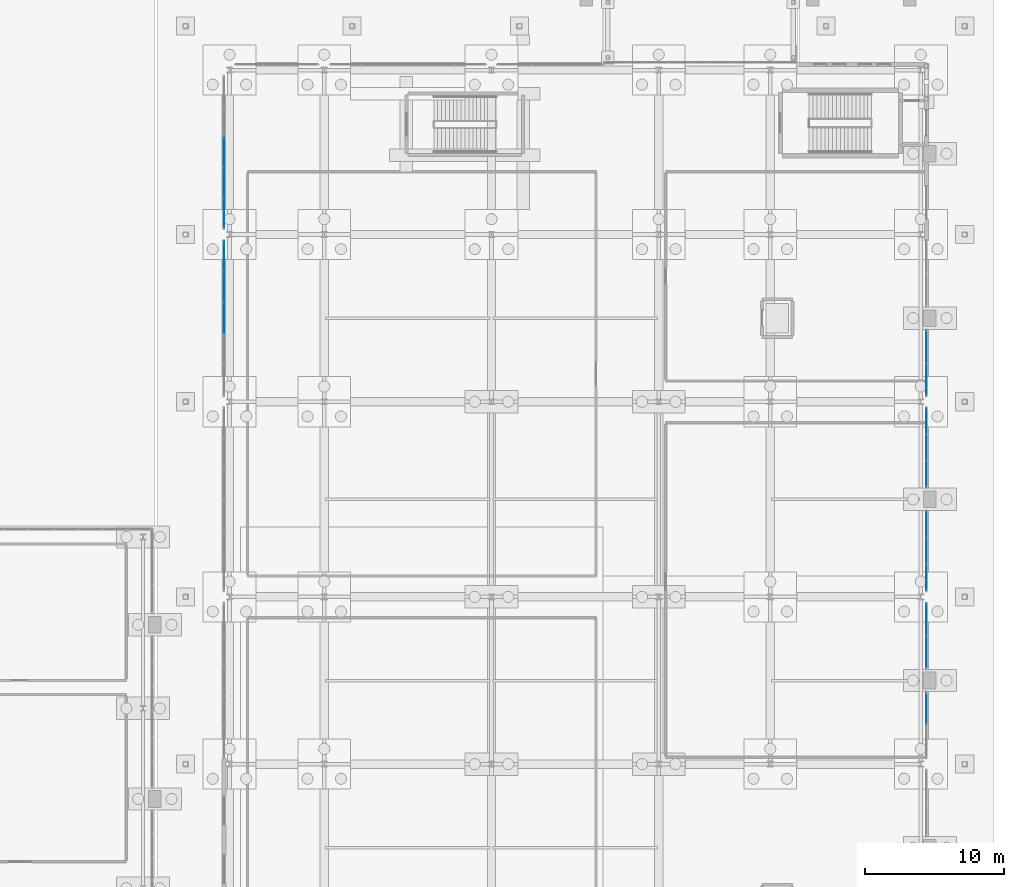
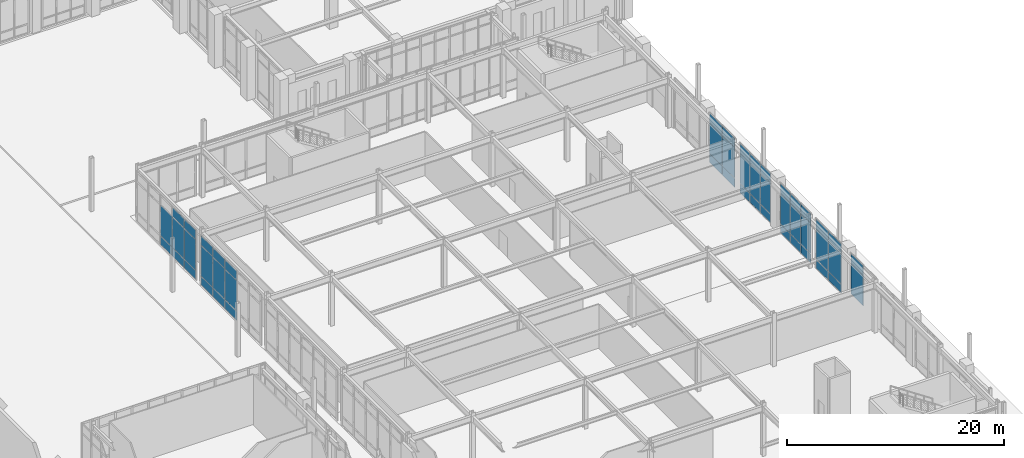
# One storey, part 92 of 143: 49 plates, 7 elements without a shape of their own.
"""IFC4 building model written with IfcOpenShell, lengths in metres."""

from ifc_helpers import new_model, si_unit, derived_unit, direction, frame, origin, origin_2d, place, context, subcontext, project, spatial, rectangle, extrude, material, layer, layer_set, type_object, element, aggregate, save


model = new_model("IFC4")

# Units and contexts
model_context = context("Model", 3, precision=1e-05, world=origin(), true_north=direction((0.0, 1.0)))
body_context = subcontext(model_context, "Body", "Model", "MODEL_VIEW")
ifc_project = project(units=[si_unit("LENGTHUNIT", "METRE"), si_unit("AREAUNIT", "SQUARE_METRE"), si_unit("VOLUMEUNIT", "CUBIC_METRE"), si_unit("PLANEANGLEUNIT", "RADIAN"), si_unit("MASSUNIT", "GRAM", prefix="KILO"), derived_unit("THERMALTRANSMITTANCEUNIT", [(si_unit("MASSUNIT", "GRAM", prefix="KILO"), 1), (si_unit("TIMEUNIT", "SECOND"), -3), (si_unit("THERMODYNAMICTEMPERATUREUNIT", "KELVIN"), -1)])], contexts=[model_context])

# Site, building, storey
site_placement = place(None, origin())
site = spatial("IfcSite", under=ifc_project, at=site_placement, CompositionType="ELEMENT")
building_placement = place(site_placement, origin())
building = spatial("IfcBuilding", under=site, at=building_placement, Name="Valcora Ridge Arena", CompositionType="ELEMENT")
storey_placement = place(building_placement, origin())
storey = spatial("IfcBuildingStorey", under=building, at=storey_placement, Name="L00", CompositionType="ELEMENT", Elevation=0.0)

# Curtain wall, plates
ifc_material_1 = material(Name="Anodised dark bronze architectural aluminium 6063-T6", Category="aluminium")
ifc_layer_1 = layer(ifc_material_1, 0.179931640625, Name="Anodised dark bronze architectural aluminium 6063-T6")
ifc_layer_set_1 = layer_set([ifc_layer_1], Name="Anodised dark bronze architectural aluminium 6063-T6")
curtain_wall_type_1 = type_object("IfcCurtainWallType", Name="TY-CURTAINWALL-CW-V2-GLAZ-057X56", PredefinedType="NOTDEFINED", material=ifc_layer_set_1)
curtain_wall_1_placement = place(storey_placement, origin())
curtain_wall_1 = element("IfcCurtainWall", 1, at=curtain_wall_1_placement, inside=storey, type_object=curtain_wall_type_1, Name="CW-V2-GLAZ-057X56 CW-0032", PredefinedType="NOTDEFINED")
ifc_material_2 = material(Name="Low-iron solar-control double glazing SHGC 0.28", Category="glass")
ifc_layer_2 = layer(ifc_material_2, 0.028076171875, Name="Low-iron solar-control double glazing SHGC 0.28")
ifc_layer_set_2 = layer_set([ifc_layer_2], Name="Low-iron solar-control double glazing SHGC 0.28")
plate_type_1 = type_object("IfcPlateType", Name="TY-PLT-CWP-1819X0975", PredefinedType="CURTAIN_PANEL", material=ifc_layer_set_2)
plate_1_placement = place(storey_placement, frame((187.199951171875, 41.402587890625, 0.050048828125), z_axis=(0.0, 0.0, 1.0), x_axis=(0.0, 1.0, 0.0)))
plate_1 = element("IfcPlate", 2, at=plate_1_placement, type_object=plate_type_1, Name="CW-0032/P00-00", PredefinedType="CURTAIN_PANEL", context=body_context, shape_type="SweptSolid", body=[
    extrude(rectangle(XDim=1.819091796875, YDim=0.028076171875, at=origin_2d()), origin(), (0.0, 0.0, 1.0), 0.97509765625),
])
plate_2_placement = place(storey_placement, frame((187.199951171875, 45.1904296875, 0.050048828125), z_axis=(0.0, 0.0, 1.0), x_axis=(0.0, 1.0, 0.0)))
plate_2 = element("IfcPlate", 3, at=plate_2_placement, type_object=plate_type_1, Name="CW-0032/P02-00", PredefinedType="CURTAIN_PANEL", context=body_context, shape_type="SweptSolid", body=[
    extrude(rectangle(XDim=1.819091796875, YDim=0.028076171875, at=origin_2d()), origin(), (0.0, 0.0, 1.0), 0.97509765625),
])

curtain_wall_2_placement = place(storey_placement, origin())
curtain_wall_2 = element("IfcCurtainWall", 4, at=curtain_wall_2_placement, inside=storey, type_object=curtain_wall_type_1, Name="CW-V2-GLAZ-057X56 CW-0033", PredefinedType="NOTDEFINED")
plate_3_placement = place(storey_placement, frame((187.199951171875, 48.8095703125, 0.050048828125), z_axis=(0.0, 0.0, 1.0), x_axis=(0.0, 1.0, 0.0)))
plate_3 = element("IfcPlate", 5, at=plate_3_placement, type_object=plate_type_1, Name="CW-0033/P00-00", PredefinedType="CURTAIN_PANEL", context=body_context, shape_type="SweptSolid", body=[
    extrude(rectangle(XDim=1.819091796875, YDim=0.028076171875, at=origin_2d()), origin(), (0.0, 0.0, 1.0), 0.97509765625),
])
plate_4_placement = place(storey_placement, frame((187.199951171875, 52.597412109375, 0.050048828125), z_axis=(0.0, 0.0, 1.0), x_axis=(0.0, 1.0, 0.0)))
plate_4 = element("IfcPlate", 6, at=plate_4_placement, type_object=plate_type_1, Name="CW-0033/P02-00", PredefinedType="CURTAIN_PANEL", context=body_context, shape_type="SweptSolid", body=[
    extrude(rectangle(XDim=1.819091796875, YDim=0.028076171875, at=origin_2d()), origin(), (0.0, 0.0, 1.0), 0.97509765625),
])

# Plate
ifc_layer_3 = layer(ifc_material_2, 0.028076171875, Name="Low-iron solar-control double glazing SHGC 0.28")
ifc_layer_set_3 = layer_set([ifc_layer_3], Name="Low-iron solar-control double glazing SHGC 0.28")
plate_type_2 = type_object("IfcPlateType", Name="TY-PLT-CWP-1819X1025", PredefinedType="CURTAIN_PANEL", material=ifc_layer_set_3)
plate_5_placement = place(storey_placement, frame((187.199951171875, 41.402587890625, 4.545166015625), z_axis=(0.0, 0.0, 1.0), x_axis=(0.0, 1.0, 0.0)))
plate_5 = element("IfcPlate", 7, at=plate_5_placement, type_object=plate_type_2, Name="CW-0032/P00-02", PredefinedType="CURTAIN_PANEL", context=body_context, shape_type="SweptSolid", body=[
    extrude(rectangle(XDim=1.819091796875, YDim=0.028076171875, at=origin_2d()), origin(), (0.0, 0.0, 1.0), 1.02490234375),
])

plate_6_placement = place(storey_placement, frame((187.199951171875, 45.1904296875, 4.545166015625), z_axis=(0.0, 0.0, 1.0), x_axis=(0.0, 1.0, 0.0)))
plate_6 = element("IfcPlate", 8, at=plate_6_placement, type_object=plate_type_2, Name="CW-0032/P02-02", PredefinedType="CURTAIN_PANEL", context=body_context, shape_type="SweptSolid", body=[
    extrude(rectangle(XDim=1.819091796875, YDim=0.028076171875, at=origin_2d()), origin(), (0.0, 0.0, 1.0), 1.02490234375),
])

plate_7_placement = place(storey_placement, frame((187.199951171875, 48.8095703125, 4.545166015625), z_axis=(0.0, 0.0, 1.0), x_axis=(0.0, 1.0, 0.0)))
plate_7 = element("IfcPlate", 9, at=plate_7_placement, type_object=plate_type_2, Name="CW-0033/P00-02", PredefinedType="CURTAIN_PANEL", context=body_context, shape_type="SweptSolid", body=[
    extrude(rectangle(XDim=1.819091796875, YDim=0.028076171875, at=origin_2d()), origin(), (0.0, 0.0, 1.0), 1.02490234375),
])

plate_8_placement = place(storey_placement, frame((187.199951171875, 52.597412109375, 4.545166015625), z_axis=(0.0, 0.0, 1.0), x_axis=(0.0, 1.0, 0.0)))
plate_8 = element("IfcPlate", 10, at=plate_8_placement, type_object=plate_type_2, Name="CW-0033/P02-02", PredefinedType="CURTAIN_PANEL", context=body_context, shape_type="SweptSolid", body=[
    extrude(rectangle(XDim=1.819091796875, YDim=0.028076171875, at=origin_2d()), origin(), (0.0, 0.0, 1.0), 1.02490234375),
])

ifc_layer_4 = layer(ifc_material_2, 0.028076171875, Name="Low-iron solar-control double glazing SHGC 0.28")
ifc_layer_set_4 = layer_set([ifc_layer_4], Name="Low-iron solar-control double glazing SHGC 0.28")
plate_type_3 = type_object("IfcPlateType", Name="TY-PLT-CWP-1819X3420", PredefinedType="CURTAIN_PANEL", material=ifc_layer_set_4)
plate_9_placement = place(storey_placement, frame((187.199951171875, 41.402587890625, 1.074951171875), z_axis=(0.0, 0.0, 1.0), x_axis=(0.0, 1.0, 0.0)))
plate_9 = element("IfcPlate", 11, at=plate_9_placement, type_object=plate_type_3, Name="CW-0032/P00-01", PredefinedType="CURTAIN_PANEL", context=body_context, shape_type="SweptSolid", body=[
    extrude(rectangle(XDim=1.819091796875, YDim=0.028076171875, at=origin_2d()), origin(), (0.0, 0.0, 1.0), 3.419921875),
])

plate_10_placement = place(storey_placement, frame((187.199951171875, 45.1904296875, 1.074951171875), z_axis=(0.0, 0.0, 1.0), x_axis=(0.0, 1.0, 0.0)))
plate_10 = element("IfcPlate", 12, at=plate_10_placement, type_object=plate_type_3, Name="CW-0032/P02-01", PredefinedType="CURTAIN_PANEL", context=body_context, shape_type="SweptSolid", body=[
    extrude(rectangle(XDim=1.819091796875, YDim=0.028076171875, at=origin_2d()), origin(), (0.0, 0.0, 1.0), 3.419921875),
])

plate_11_placement = place(storey_placement, frame((187.199951171875, 48.8095703125, 1.074951171875), z_axis=(0.0, 0.0, 1.0), x_axis=(0.0, 1.0, 0.0)))
plate_11 = element("IfcPlate", 13, at=plate_11_placement, type_object=plate_type_3, Name="CW-0033/P00-01", PredefinedType="CURTAIN_PANEL", context=body_context, shape_type="SweptSolid", body=[
    extrude(rectangle(XDim=1.819091796875, YDim=0.028076171875, at=origin_2d()), origin(), (0.0, 0.0, 1.0), 3.419921875),
])

plate_12_placement = place(storey_placement, frame((187.199951171875, 52.597412109375, 1.074951171875), z_axis=(0.0, 0.0, 1.0), x_axis=(0.0, 1.0, 0.0)))
plate_12 = element("IfcPlate", 14, at=plate_12_placement, type_object=plate_type_3, Name="CW-0033/P02-01", PredefinedType="CURTAIN_PANEL", context=body_context, shape_type="SweptSolid", body=[
    extrude(rectangle(XDim=1.819091796875, YDim=0.028076171875, at=origin_2d()), origin(), (0.0, 0.0, 1.0), 3.419921875),
])

ifc_layer_5 = layer(ifc_material_2, 0.028076171875, Name="Low-iron solar-control double glazing SHGC 0.28")
ifc_layer_set_5 = layer_set([ifc_layer_5], Name="Low-iron solar-control double glazing SHGC 0.28")
plate_type_4 = type_object("IfcPlateType", Name="TY-PLT-CWP-1849X0975", PredefinedType="CURTAIN_PANEL", material=ifc_layer_set_5)
plate_13_placement = place(storey_placement, frame((187.199951171875, 43.29638671875, 0.050048828125), z_axis=(0.0, 0.0, 1.0), x_axis=(0.0, 1.0, 0.0)))
plate_13 = element("IfcPlate", 15, at=plate_13_placement, type_object=plate_type_4, Name="CW-0032/P01-00", PredefinedType="CURTAIN_PANEL", context=body_context, shape_type="SweptSolid", body=[
    extrude(rectangle(XDim=1.84912109375, YDim=0.028076171875, at=origin_2d()), origin(), (0.0, 0.0, 1.0), 0.97509765625),
])

plate_14_placement = place(storey_placement, frame((187.199951171875, 50.70361328125, 0.050048828125), z_axis=(0.0, 0.0, 1.0), x_axis=(0.0, 1.0, 0.0)))
plate_14 = element("IfcPlate", 16, at=plate_14_placement, type_object=plate_type_4, Name="CW-0033/P01-00", PredefinedType="CURTAIN_PANEL", context=body_context, shape_type="SweptSolid", body=[
    extrude(rectangle(XDim=1.84912109375, YDim=0.028076171875, at=origin_2d()), origin(), (0.0, 0.0, 1.0), 0.97509765625),
])

ifc_layer_6 = layer(ifc_material_2, 0.028076171875, Name="Low-iron solar-control double glazing SHGC 0.28")
ifc_layer_set_6 = layer_set([ifc_layer_6], Name="Low-iron solar-control double glazing SHGC 0.28")
plate_type_5 = type_object("IfcPlateType", Name="TY-PLT-CWP-1849X1025", PredefinedType="CURTAIN_PANEL", material=ifc_layer_set_6)
plate_15_placement = place(storey_placement, frame((187.199951171875, 43.29638671875, 4.545166015625), z_axis=(0.0, 0.0, 1.0), x_axis=(0.0, 1.0, 0.0)))
plate_15 = element("IfcPlate", 17, at=plate_15_placement, type_object=plate_type_5, Name="CW-0032/P01-02", PredefinedType="CURTAIN_PANEL", context=body_context, shape_type="SweptSolid", body=[
    extrude(rectangle(XDim=1.84912109375, YDim=0.028076171875, at=origin_2d()), origin(), (0.0, 0.0, 1.0), 1.02490234375),
])

plate_16_placement = place(storey_placement, frame((187.199951171875, 50.70361328125, 4.545166015625), z_axis=(0.0, 0.0, 1.0), x_axis=(0.0, 1.0, 0.0)))
plate_16 = element("IfcPlate", 18, at=plate_16_placement, type_object=plate_type_5, Name="CW-0033/P01-02", PredefinedType="CURTAIN_PANEL", context=body_context, shape_type="SweptSolid", body=[
    extrude(rectangle(XDim=1.84912109375, YDim=0.028076171875, at=origin_2d()), origin(), (0.0, 0.0, 1.0), 1.02490234375),
])

ifc_layer_7 = layer(ifc_material_2, 0.028076171875, Name="Low-iron solar-control double glazing SHGC 0.28")
ifc_layer_set_7 = layer_set([ifc_layer_7], Name="Low-iron solar-control double glazing SHGC 0.28")
plate_type_6 = type_object("IfcPlateType", Name="TY-PLT-CWP-1849X3420", PredefinedType="CURTAIN_PANEL", material=ifc_layer_set_7)
plate_17_placement = place(storey_placement, frame((187.199951171875, 43.29638671875, 1.074951171875), z_axis=(0.0, 0.0, 1.0), x_axis=(0.0, 1.0, 0.0)))
plate_17 = element("IfcPlate", 19, at=plate_17_placement, type_object=plate_type_6, Name="CW-0032/P01-01", PredefinedType="CURTAIN_PANEL", context=body_context, shape_type="SweptSolid", body=[
    extrude(rectangle(XDim=1.84912109375, YDim=0.028076171875, at=origin_2d()), origin(), (0.0, 0.0, 1.0), 3.419921875),
])

aggregate(curtain_wall_1, [plate_1, plate_9, plate_5, plate_13, plate_17, plate_15, plate_2, plate_10, plate_6])

plate_18_placement = place(storey_placement, frame((187.199951171875, 50.70361328125, 1.074951171875), z_axis=(0.0, 0.0, 1.0), x_axis=(0.0, 1.0, 0.0)))
plate_18 = element("IfcPlate", 20, at=plate_18_placement, type_object=plate_type_6, Name="CW-0033/P01-01", PredefinedType="CURTAIN_PANEL", context=body_context, shape_type="SweptSolid", body=[
    extrude(rectangle(XDim=1.84912109375, YDim=0.028076171875, at=origin_2d()), origin(), (0.0, 0.0, 1.0), 3.419921875),
])

aggregate(curtain_wall_2, [plate_3, plate_11, plate_7, plate_14, plate_18, plate_16, plate_4, plate_12, plate_8])

# Curtain wall, plates
ifc_layer_8 = layer(ifc_material_1, 0.179931640625, Name="Anodised dark bronze architectural aluminium 6063-T6")
ifc_layer_set_8 = layer_set([ifc_layer_8], Name="Anodised dark bronze architectural aluminium 6063-T6")
curtain_wall_type_2 = type_object("IfcCurtainWallType", Name="TY-CURTAINWALL-CW-V2-GLAZ-109X56", PredefinedType="NOTDEFINED", material=ifc_layer_set_8)
curtain_wall_3_placement = place(storey_placement, origin())
curtain_wall_3 = element("IfcCurtainWall", 21, at=curtain_wall_3_placement, inside=storey, type_object=curtain_wall_type_2, Name="CW-V2-GLAZ-109X56 CW-0024", PredefinedType="NOTDEFINED")
ifc_layer_9 = layer(ifc_material_2, 0.028076171875, Name="Low-iron solar-control double glazing SHGC 0.28")
ifc_layer_set_9 = layer_set([ifc_layer_9], Name="Low-iron solar-control double glazing SHGC 0.28")
plate_type_7 = type_object("IfcPlateType", Name="TY-PLT-CWP-2097X0975", PredefinedType="CURTAIN_PANEL", material=ifc_layer_set_9)
plate_19_placement = place(storey_placement, frame((136.800048828125, 67.54150390625, 0.050048828125), z_axis=(0.0, 0.0, 1.0), x_axis=(0.0, 1.0, 0.0)))
plate_19 = element("IfcPlate", 22, at=plate_19_placement, type_object=plate_type_7, Name="CW-0024/P00-00", PredefinedType="CURTAIN_PANEL", context=body_context, shape_type="SweptSolid", body=[
    extrude(rectangle(XDim=2.096923828125, YDim=0.028076171875, at=origin_2d()), origin(), (0.0, 0.0, 1.0), 0.97509765625),
])
ifc_layer_10 = layer(ifc_material_2, 0.028076171875, Name="Low-iron solar-control double glazing SHGC 0.28")
ifc_layer_set_10 = layer_set([ifc_layer_10], Name="Low-iron solar-control double glazing SHGC 0.28")
plate_type_8 = type_object("IfcPlateType", Name="TY-PLT-CWP-2097X1025", PredefinedType="CURTAIN_PANEL", material=ifc_layer_set_10)
plate_20_placement = place(storey_placement, frame((136.800048828125, 67.54150390625, 4.545166015625), z_axis=(0.0, 0.0, 1.0), x_axis=(0.0, 1.0, 0.0)))
plate_20 = element("IfcPlate", 23, at=plate_20_placement, type_object=plate_type_8, Name="CW-0024/P00-02", PredefinedType="CURTAIN_PANEL", context=body_context, shape_type="SweptSolid", body=[
    extrude(rectangle(XDim=2.096923828125, YDim=0.028076171875, at=origin_2d()), origin(), (0.0, 0.0, 1.0), 1.02490234375),
])
ifc_layer_11 = layer(ifc_material_2, 0.028076171875, Name="Low-iron solar-control double glazing SHGC 0.28")
ifc_layer_set_11 = layer_set([ifc_layer_11], Name="Low-iron solar-control double glazing SHGC 0.28")
plate_type_9 = type_object("IfcPlateType", Name="TY-PLT-CWP-2097X3420", PredefinedType="CURTAIN_PANEL", material=ifc_layer_set_11)
plate_21_placement = place(storey_placement, frame((136.800048828125, 67.54150390625, 1.074951171875), z_axis=(0.0, 0.0, 1.0), x_axis=(0.0, 1.0, 0.0)))
plate_21 = element("IfcPlate", 24, at=plate_21_placement, type_object=plate_type_9, Name="CW-0024/P00-01", PredefinedType="CURTAIN_PANEL", context=body_context, shape_type="SweptSolid", body=[
    extrude(rectangle(XDim=2.096923828125, YDim=0.028076171875, at=origin_2d()), origin(), (0.0, 0.0, 1.0), 3.419921875),
])
ifc_layer_12 = layer(ifc_material_2, 0.028076171875, Name="Low-iron solar-control double glazing SHGC 0.28")
ifc_layer_set_12 = layer_set([ifc_layer_12], Name="Low-iron solar-control double glazing SHGC 0.28")
plate_type_10 = type_object("IfcPlateType", Name="TY-PLT-CWP-2126X0975", PredefinedType="CURTAIN_PANEL", material=ifc_layer_set_12)
plate_22_placement = place(storey_placement, frame((136.800048828125, 71.89990234375, 0.050048828125), z_axis=(0.0, 0.0, 1.0), x_axis=(0.0, 1.0, 0.0)))
plate_22 = element("IfcPlate", 25, at=plate_22_placement, type_object=plate_type_10, Name="CW-0024/P02-00", PredefinedType="CURTAIN_PANEL", context=body_context, shape_type="SweptSolid", body=[
    extrude(rectangle(XDim=2.1259765625, YDim=0.028076171875, at=origin_2d()), origin(), (0.0, 0.0, 1.0), 0.97509765625),
])
ifc_layer_13 = layer(ifc_material_2, 0.028076171875, Name="Low-iron solar-control double glazing SHGC 0.28")
ifc_layer_set_13 = layer_set([ifc_layer_13], Name="Low-iron solar-control double glazing SHGC 0.28")
plate_type_11 = type_object("IfcPlateType", Name="TY-PLT-CWP-2126X3420", PredefinedType="CURTAIN_PANEL", material=ifc_layer_set_13)
plate_23_placement = place(storey_placement, frame((136.800048828125, 71.89990234375, 1.074951171875), z_axis=(0.0, 0.0, 1.0), x_axis=(0.0, 1.0, 0.0)))
plate_23 = element("IfcPlate", 26, at=plate_23_placement, type_object=plate_type_11, Name="CW-0024/P02-01", PredefinedType="CURTAIN_PANEL", context=body_context, shape_type="SweptSolid", body=[
    extrude(rectangle(XDim=2.1259765625, YDim=0.028076171875, at=origin_2d()), origin(), (0.0, 0.0, 1.0), 3.419921875),
])
ifc_layer_14 = layer(ifc_material_2, 0.028076171875, Name="Low-iron solar-control double glazing SHGC 0.28")
ifc_layer_set_14 = layer_set([ifc_layer_14], Name="Low-iron solar-control double glazing SHGC 0.28")
plate_type_12 = type_object("IfcPlateType", Name="TY-PLT-CWP-2127X0975", PredefinedType="CURTAIN_PANEL", material=ifc_layer_set_14)
plate_24_placement = place(storey_placement, frame((136.800048828125, 69.71337890625, 0.050048828125), z_axis=(0.0, 0.0, 1.0), x_axis=(0.0, 1.0, 0.0)))
plate_24 = element("IfcPlate", 27, at=plate_24_placement, type_object=plate_type_12, Name="CW-0024/P01-00", PredefinedType="CURTAIN_PANEL", context=body_context, shape_type="SweptSolid", body=[
    extrude(rectangle(XDim=2.126953125, YDim=0.028076171875, at=origin_2d()), origin(), (0.0, 0.0, 1.0), 0.97509765625),
])
ifc_layer_15 = layer(ifc_material_2, 0.028076171875, Name="Low-iron solar-control double glazing SHGC 0.28")
ifc_layer_set_15 = layer_set([ifc_layer_15], Name="Low-iron solar-control double glazing SHGC 0.28")
plate_type_13 = type_object("IfcPlateType", Name="TY-PLT-CWP-2127X1025", PredefinedType="CURTAIN_PANEL", material=ifc_layer_set_15)
plate_25_placement = place(storey_placement, frame((136.800048828125, 69.71337890625, 4.545166015625), z_axis=(0.0, 0.0, 1.0), x_axis=(0.0, 1.0, 0.0)))
plate_25 = element("IfcPlate", 28, at=plate_25_placement, type_object=plate_type_13, Name="CW-0024/P01-02", PredefinedType="CURTAIN_PANEL", context=body_context, shape_type="SweptSolid", body=[
    extrude(rectangle(XDim=2.126953125, YDim=0.028076171875, at=origin_2d()), origin(), (0.0, 0.0, 1.0), 1.02490234375),
])
ifc_layer_16 = layer(ifc_material_2, 0.028076171875, Name="Low-iron solar-control double glazing SHGC 0.28")
ifc_layer_set_16 = layer_set([ifc_layer_16], Name="Low-iron solar-control double glazing SHGC 0.28")
plate_type_14 = type_object("IfcPlateType", Name="TY-PLT-CWP-2127X3420", PredefinedType="CURTAIN_PANEL", material=ifc_layer_set_16)
plate_26_placement = place(storey_placement, frame((136.800048828125, 69.71337890625, 1.074951171875), z_axis=(0.0, 0.0, 1.0), x_axis=(0.0, 1.0, 0.0)))
plate_26 = element("IfcPlate", 29, at=plate_26_placement, type_object=plate_type_14, Name="CW-0024/P01-01", PredefinedType="CURTAIN_PANEL", context=body_context, shape_type="SweptSolid", body=[
    extrude(rectangle(XDim=2.126953125, YDim=0.028076171875, at=origin_2d()), origin(), (0.0, 0.0, 1.0), 3.419921875),
])
aggregate(curtain_wall_3, [plate_19, plate_21, plate_20, plate_24, plate_26, plate_25, plate_22, plate_23])

ifc_layer_17 = layer(ifc_material_1, 0.179931640625, Name="Anodised dark bronze architectural aluminium 6063-T6")
ifc_layer_set_17 = layer_set([ifc_layer_17], Name="Anodised dark bronze architectural aluminium 6063-T6")
curtain_wall_type_3 = type_object("IfcCurtainWallType", Name="TY-CURTAINWALL-CW-V2-GLAZ-111X56", PredefinedType="NOTDEFINED", material=ifc_layer_set_17)
curtain_wall_4_placement = place(storey_placement, origin())
curtain_wall_4 = element("IfcCurtainWall", 30, at=curtain_wall_4_placement, inside=storey, type_object=curtain_wall_type_3, Name="CW-V2-GLAZ-111X56 CW-0023", PredefinedType="NOTDEFINED")
ifc_layer_18 = layer(ifc_material_2, 0.028076171875, Name="Low-iron solar-control double glazing SHGC 0.28")
ifc_layer_set_18 = layer_set([ifc_layer_18], Name="Low-iron solar-control double glazing SHGC 0.28")
plate_type_15 = type_object("IfcPlateType", Name="TY-PLT-CWP-2137X0975", PredefinedType="CURTAIN_PANEL", material=ifc_layer_set_18)
plate_27_placement = place(storey_placement, frame((136.800048828125, 64.4384765625, 0.050048828125), z_axis=(0.0, 0.0, 1.0), x_axis=(0.0, 1.0, 0.0)))
plate_27 = element("IfcPlate", 31, at=plate_27_placement, type_object=plate_type_15, Name="CW-0023/P04-00", PredefinedType="CURTAIN_PANEL", context=body_context, shape_type="SweptSolid", body=[
    extrude(rectangle(XDim=2.136962890625, YDim=0.028076171875, at=origin_2d()), origin(), (0.0, 0.0, 1.0), 0.97509765625),
])
ifc_layer_19 = layer(ifc_material_2, 0.028076171875, Name="Low-iron solar-control double glazing SHGC 0.28")
ifc_layer_set_19 = layer_set([ifc_layer_19], Name="Low-iron solar-control double glazing SHGC 0.28")
plate_type_16 = type_object("IfcPlateType", Name="TY-PLT-CWP-2137X1025", PredefinedType="CURTAIN_PANEL", material=ifc_layer_set_19)
plate_28_placement = place(storey_placement, frame((136.800048828125, 64.4384765625, 4.545166015625), z_axis=(0.0, 0.0, 1.0), x_axis=(0.0, 1.0, 0.0)))
plate_28 = element("IfcPlate", 32, at=plate_28_placement, type_object=plate_type_16, Name="CW-0023/P04-02", PredefinedType="CURTAIN_PANEL", context=body_context, shape_type="SweptSolid", body=[
    extrude(rectangle(XDim=2.136962890625, YDim=0.028076171875, at=origin_2d()), origin(), (0.0, 0.0, 1.0), 1.02490234375),
])
ifc_layer_20 = layer(ifc_material_2, 0.028076171875, Name="Low-iron solar-control double glazing SHGC 0.28")
ifc_layer_set_20 = layer_set([ifc_layer_20], Name="Low-iron solar-control double glazing SHGC 0.28")
plate_type_17 = type_object("IfcPlateType", Name="TY-PLT-CWP-2137X3420", PredefinedType="CURTAIN_PANEL", material=ifc_layer_set_20)
plate_29_placement = place(storey_placement, frame((136.800048828125, 64.4384765625, 1.074951171875), z_axis=(0.0, 0.0, 1.0), x_axis=(0.0, 1.0, 0.0)))
plate_29 = element("IfcPlate", 33, at=plate_29_placement, type_object=plate_type_17, Name="CW-0023/P04-01", PredefinedType="CURTAIN_PANEL", context=body_context, shape_type="SweptSolid", body=[
    extrude(rectangle(XDim=2.136962890625, YDim=0.028076171875, at=origin_2d()), origin(), (0.0, 0.0, 1.0), 3.419921875),
])
ifc_layer_21 = layer(ifc_material_2, 0.028076171875, Name="Low-iron solar-control double glazing SHGC 0.28")
ifc_layer_set_21 = layer_set([ifc_layer_21], Name="Low-iron solar-control double glazing SHGC 0.28")
plate_type_18 = type_object("IfcPlateType", Name="TY-PLT-CWP-2166X0975", PredefinedType="CURTAIN_PANEL", material=ifc_layer_set_21)
plate_30_placement = place(storey_placement, frame((136.800048828125, 60.0, 0.050048828125), z_axis=(0.0, 0.0, 1.0), x_axis=(0.0, 1.0, 0.0)))
plate_30 = element("IfcPlate", 34, at=plate_30_placement, type_object=plate_type_18, Name="CW-0023/P02-00", PredefinedType="CURTAIN_PANEL", context=body_context, shape_type="SweptSolid", body=[
    extrude(rectangle(XDim=2.166015625, YDim=0.028076171875, at=origin_2d()), origin(), (0.0, 0.0, 1.0), 0.97509765625),
])
ifc_layer_22 = layer(ifc_material_2, 0.028076171875, Name="Low-iron solar-control double glazing SHGC 0.28")
ifc_layer_set_22 = layer_set([ifc_layer_22], Name="Low-iron solar-control double glazing SHGC 0.28")
plate_type_19 = type_object("IfcPlateType", Name="TY-PLT-CWP-2166X1025", PredefinedType="CURTAIN_PANEL", material=ifc_layer_set_22)
plate_31_placement = place(storey_placement, frame((136.800048828125, 60.0, 4.545166015625), z_axis=(0.0, 0.0, 1.0), x_axis=(0.0, 1.0, 0.0)))
plate_31 = element("IfcPlate", 35, at=plate_31_placement, type_object=plate_type_19, Name="CW-0023/P02-02", PredefinedType="CURTAIN_PANEL", context=body_context, shape_type="SweptSolid", body=[
    extrude(rectangle(XDim=2.166015625, YDim=0.028076171875, at=origin_2d()), origin(), (0.0, 0.0, 1.0), 1.02490234375),
])
ifc_layer_23 = layer(ifc_material_2, 0.028076171875, Name="Low-iron solar-control double glazing SHGC 0.28")
ifc_layer_set_23 = layer_set([ifc_layer_23], Name="Low-iron solar-control double glazing SHGC 0.28")
plate_type_20 = type_object("IfcPlateType", Name="TY-PLT-CWP-2166X3420", PredefinedType="CURTAIN_PANEL", material=ifc_layer_set_23)
plate_32_placement = place(storey_placement, frame((136.800048828125, 60.0, 1.074951171875), z_axis=(0.0, 0.0, 1.0), x_axis=(0.0, 1.0, 0.0)))
plate_32 = element("IfcPlate", 36, at=plate_32_placement, type_object=plate_type_20, Name="CW-0023/P02-01", PredefinedType="CURTAIN_PANEL", context=body_context, shape_type="SweptSolid", body=[
    extrude(rectangle(XDim=2.166015625, YDim=0.028076171875, at=origin_2d()), origin(), (0.0, 0.0, 1.0), 3.419921875),
])
ifc_layer_24 = layer(ifc_material_2, 0.028076171875, Name="Low-iron solar-control double glazing SHGC 0.28")
ifc_layer_set_24 = layer_set([ifc_layer_24], Name="Low-iron solar-control double glazing SHGC 0.28")
plate_type_21 = type_object("IfcPlateType", Name="TY-PLT-CWP-2167X0975", PredefinedType="CURTAIN_PANEL", material=ifc_layer_set_24)
plate_33_placement = place(storey_placement, frame((136.800048828125, 62.2265625, 0.050048828125), z_axis=(0.0, 0.0, 1.0), x_axis=(0.0, 1.0, 0.0)))
plate_33 = element("IfcPlate", 37, at=plate_33_placement, type_object=plate_type_21, Name="CW-0023/P03-00", PredefinedType="CURTAIN_PANEL", context=body_context, shape_type="SweptSolid", body=[
    extrude(rectangle(XDim=2.1669921875, YDim=0.028076171875, at=origin_2d()), origin(), (0.0, 0.0, 1.0), 0.97509765625),
])
ifc_layer_25 = layer(ifc_material_2, 0.028076171875, Name="Low-iron solar-control double glazing SHGC 0.28")
ifc_layer_set_25 = layer_set([ifc_layer_25], Name="Low-iron solar-control double glazing SHGC 0.28")
plate_type_22 = type_object("IfcPlateType", Name="TY-PLT-CWP-2167X1025", PredefinedType="CURTAIN_PANEL", material=ifc_layer_set_25)
plate_34_placement = place(storey_placement, frame((136.800048828125, 62.2265625, 4.545166015625), z_axis=(0.0, 0.0, 1.0), x_axis=(0.0, 1.0, 0.0)))
plate_34 = element("IfcPlate", 38, at=plate_34_placement, type_object=plate_type_22, Name="CW-0023/P03-02", PredefinedType="CURTAIN_PANEL", context=body_context, shape_type="SweptSolid", body=[
    extrude(rectangle(XDim=2.1669921875, YDim=0.028076171875, at=origin_2d()), origin(), (0.0, 0.0, 1.0), 1.02490234375),
])
ifc_layer_26 = layer(ifc_material_2, 0.028076171875, Name="Low-iron solar-control double glazing SHGC 0.28")
ifc_layer_set_26 = layer_set([ifc_layer_26], Name="Low-iron solar-control double glazing SHGC 0.28")
plate_type_23 = type_object("IfcPlateType", Name="TY-PLT-CWP-2167X3420", PredefinedType="CURTAIN_PANEL", material=ifc_layer_set_26)
plate_35_placement = place(storey_placement, frame((136.800048828125, 62.2265625, 1.074951171875), z_axis=(0.0, 0.0, 1.0), x_axis=(0.0, 1.0, 0.0)))
plate_35 = element("IfcPlate", 39, at=plate_35_placement, type_object=plate_type_23, Name="CW-0023/P03-01", PredefinedType="CURTAIN_PANEL", context=body_context, shape_type="SweptSolid", body=[
    extrude(rectangle(XDim=2.1669921875, YDim=0.028076171875, at=origin_2d()), origin(), (0.0, 0.0, 1.0), 3.419921875),
])
aggregate(curtain_wall_4, [plate_30, plate_32, plate_31, plate_33, plate_35, plate_34, plate_27, plate_29, plate_28])

ifc_layer_27 = layer(ifc_material_1, 0.179931640625, Name="Anodised dark bronze architectural aluminium 6063-T6")
ifc_layer_set_27 = layer_set([ifc_layer_27], Name="Anodised dark bronze architectural aluminium 6063-T6")
curtain_wall_type_4 = type_object("IfcCurtainWallType", Name="TY-CURTAINWALL-CW-V2-GLAZ-047X56", PredefinedType="NOTDEFINED", material=ifc_layer_set_27)
curtain_wall_5_placement = place(storey_placement, origin())
curtain_wall_5 = element("IfcCurtainWall", 40, at=curtain_wall_5_placement, inside=storey, type_object=curtain_wall_type_4, Name="CW-V2-GLAZ-047X56 CW-0031", PredefinedType="NOTDEFINED")
ifc_layer_28 = layer(ifc_material_2, 0.028076171875, Name="Low-iron solar-control double glazing SHGC 0.28")
ifc_layer_set_28 = layer_set([ifc_layer_28], Name="Low-iron solar-control double glazing SHGC 0.28")
plate_type_24 = type_object("IfcPlateType", Name="TY-PLT-CWP-2274X0975", PredefinedType="CURTAIN_PANEL", material=ifc_layer_set_28)
plate_36_placement = place(storey_placement, frame((187.199951171875, 36.037109375, 0.050048828125), z_axis=(0.0, 0.0, 1.0), x_axis=(0.0, 1.0, 0.0)))
plate_36 = element("IfcPlate", 41, at=plate_36_placement, type_object=plate_type_24, Name="CW-0031/P00-00", PredefinedType="CURTAIN_PANEL", context=body_context, shape_type="SweptSolid", body=[
    extrude(rectangle(XDim=2.27392578125, YDim=0.028076171875, at=origin_2d()), origin(), (0.0, 0.0, 1.0), 0.97509765625),
])
plate_37_placement = place(storey_placement, frame((187.199951171875, 38.3701171875, 0.050048828125), z_axis=(0.0, 0.0, 1.0), x_axis=(0.0, 1.0, 0.0)))
plate_37 = element("IfcPlate", 42, at=plate_37_placement, type_object=plate_type_24, Name="CW-0031/P01-00", PredefinedType="CURTAIN_PANEL", context=body_context, shape_type="SweptSolid", body=[
    extrude(rectangle(XDim=2.27392578125, YDim=0.028076171875, at=origin_2d()), origin(), (0.0, 0.0, 1.0), 0.97509765625),
])

curtain_wall_6_placement = place(storey_placement, origin())
curtain_wall_6 = element("IfcCurtainWall", 43, at=curtain_wall_6_placement, inside=storey, type_object=curtain_wall_type_4, Name="CW-V2-GLAZ-047X56 CW-0034", PredefinedType="NOTDEFINED")
plate_38_placement = place(storey_placement, frame((187.199951171875, 55.6298828125, 0.050048828125), z_axis=(0.0, 0.0, 1.0), x_axis=(0.0, 1.0, 0.0)))
plate_38 = element("IfcPlate", 44, at=plate_38_placement, type_object=plate_type_24, Name="CW-0034/P00-00", PredefinedType="CURTAIN_PANEL", context=body_context, shape_type="SweptSolid", body=[
    extrude(rectangle(XDim=2.27392578125, YDim=0.028076171875, at=origin_2d()), origin(), (0.0, 0.0, 1.0), 0.97509765625),
])
plate_39_placement = place(storey_placement, frame((187.199951171875, 57.962890625, 0.050048828125), z_axis=(0.0, 0.0, 1.0), x_axis=(0.0, 1.0, 0.0)))
plate_39 = element("IfcPlate", 45, at=plate_39_placement, type_object=plate_type_24, Name="CW-0034/P01-00", PredefinedType="CURTAIN_PANEL", context=body_context, shape_type="SweptSolid", body=[
    extrude(rectangle(XDim=2.27392578125, YDim=0.028076171875, at=origin_2d()), origin(), (0.0, 0.0, 1.0), 0.97509765625),
])

# Curtain wall, plate
curtain_wall_7_placement = place(storey_placement, origin())
curtain_wall_7 = element("IfcCurtainWall", 46, at=curtain_wall_7_placement, inside=storey, type_object=curtain_wall_type_4, Name="CW-V2-GLAZ-047X56 CW-0030", PredefinedType="NOTDEFINED")
ifc_layer_29 = layer(ifc_material_2, 0.028076171875, Name="Low-iron solar-control double glazing SHGC 0.28")
ifc_layer_set_29 = layer_set([ifc_layer_29], Name="Low-iron solar-control double glazing SHGC 0.28")
plate_type_25 = type_object("IfcPlateType", Name="TY-PLT-CWP-2274X1025", PredefinedType="CURTAIN_PANEL", material=ifc_layer_set_29)
plate_40_placement = place(storey_placement, frame((187.199951171875, 31.962890625, 4.545166015625), z_axis=(0.0, 0.0, 1.0), x_axis=(0.0, 1.0, 0.0)))
plate_40 = element("IfcPlate", 47, at=plate_40_placement, type_object=plate_type_25, Name="CW-0030/P01-02", PredefinedType="CURTAIN_PANEL", context=body_context, shape_type="SweptSolid", body=[
    extrude(rectangle(XDim=2.27392578125, YDim=0.028076171875, at=origin_2d()), origin(), (0.0, 0.0, 1.0), 1.02490234375),
])

# Plate
plate_41_placement = place(storey_placement, frame((187.199951171875, 36.037109375, 4.545166015625), z_axis=(0.0, 0.0, 1.0), x_axis=(0.0, 1.0, 0.0)))
plate_41 = element("IfcPlate", 48, at=plate_41_placement, type_object=plate_type_25, Name="CW-0031/P00-02", PredefinedType="CURTAIN_PANEL", context=body_context, shape_type="SweptSolid", body=[
    extrude(rectangle(XDim=2.27392578125, YDim=0.028076171875, at=origin_2d()), origin(), (0.0, 0.0, 1.0), 1.02490234375),
])

plate_42_placement = place(storey_placement, frame((187.199951171875, 38.3701171875, 4.545166015625), z_axis=(0.0, 0.0, 1.0), x_axis=(0.0, 1.0, 0.0)))
plate_42 = element("IfcPlate", 49, at=plate_42_placement, type_object=plate_type_25, Name="CW-0031/P01-02", PredefinedType="CURTAIN_PANEL", context=body_context, shape_type="SweptSolid", body=[
    extrude(rectangle(XDim=2.27392578125, YDim=0.028076171875, at=origin_2d()), origin(), (0.0, 0.0, 1.0), 1.02490234375),
])

plate_43_placement = place(storey_placement, frame((187.199951171875, 55.6298828125, 4.545166015625), z_axis=(0.0, 0.0, 1.0), x_axis=(0.0, 1.0, 0.0)))
plate_43 = element("IfcPlate", 50, at=plate_43_placement, type_object=plate_type_25, Name="CW-0034/P00-02", PredefinedType="CURTAIN_PANEL", context=body_context, shape_type="SweptSolid", body=[
    extrude(rectangle(XDim=2.27392578125, YDim=0.028076171875, at=origin_2d()), origin(), (0.0, 0.0, 1.0), 1.02490234375),
])

plate_44_placement = place(storey_placement, frame((187.199951171875, 57.962890625, 4.545166015625), z_axis=(0.0, 0.0, 1.0), x_axis=(0.0, 1.0, 0.0)))
plate_44 = element("IfcPlate", 51, at=plate_44_placement, type_object=plate_type_25, Name="CW-0034/P01-02", PredefinedType="CURTAIN_PANEL", context=body_context, shape_type="SweptSolid", body=[
    extrude(rectangle(XDim=2.27392578125, YDim=0.028076171875, at=origin_2d()), origin(), (0.0, 0.0, 1.0), 1.02490234375),
])

ifc_layer_30 = layer(ifc_material_2, 0.028076171875, Name="Low-iron solar-control double glazing SHGC 0.28")
ifc_layer_set_30 = layer_set([ifc_layer_30], Name="Low-iron solar-control double glazing SHGC 0.28")
plate_type_26 = type_object("IfcPlateType", Name="TY-PLT-CWP-2274X3420", PredefinedType="CURTAIN_PANEL", material=ifc_layer_set_30)
plate_45_placement = place(storey_placement, frame((187.199951171875, 31.962890625, 1.074951171875), z_axis=(0.0, 0.0, 1.0), x_axis=(0.0, 1.0, 0.0)))
plate_45 = element("IfcPlate", 52, at=plate_45_placement, type_object=plate_type_26, Name="CW-0030/P01-01", PredefinedType="CURTAIN_PANEL", context=body_context, shape_type="SweptSolid", body=[
    extrude(rectangle(XDim=2.27392578125, YDim=0.028076171875, at=origin_2d()), origin(), (0.0, 0.0, 1.0), 3.419921875),
])

aggregate(curtain_wall_7, [plate_45, plate_40])

plate_46_placement = place(storey_placement, frame((187.199951171875, 36.037109375, 1.074951171875), z_axis=(0.0, 0.0, 1.0), x_axis=(0.0, 1.0, 0.0)))
plate_46 = element("IfcPlate", 53, at=plate_46_placement, type_object=plate_type_26, Name="CW-0031/P00-01", PredefinedType="CURTAIN_PANEL", context=body_context, shape_type="SweptSolid", body=[
    extrude(rectangle(XDim=2.27392578125, YDim=0.028076171875, at=origin_2d()), origin(), (0.0, 0.0, 1.0), 3.419921875),
])

plate_47_placement = place(storey_placement, frame((187.199951171875, 38.3701171875, 1.074951171875), z_axis=(0.0, 0.0, 1.0), x_axis=(0.0, 1.0, 0.0)))
plate_47 = element("IfcPlate", 54, at=plate_47_placement, type_object=plate_type_26, Name="CW-0031/P01-01", PredefinedType="CURTAIN_PANEL", context=body_context, shape_type="SweptSolid", body=[
    extrude(rectangle(XDim=2.27392578125, YDim=0.028076171875, at=origin_2d()), origin(), (0.0, 0.0, 1.0), 3.419921875),
])

aggregate(curtain_wall_5, [plate_36, plate_46, plate_41, plate_37, plate_47, plate_42])

plate_48_placement = place(storey_placement, frame((187.199951171875, 55.6298828125, 1.074951171875), z_axis=(0.0, 0.0, 1.0), x_axis=(0.0, 1.0, 0.0)))
plate_48 = element("IfcPlate", 55, at=plate_48_placement, type_object=plate_type_26, Name="CW-0034/P00-01", PredefinedType="CURTAIN_PANEL", context=body_context, shape_type="SweptSolid", body=[
    extrude(rectangle(XDim=2.27392578125, YDim=0.028076171875, at=origin_2d()), origin(), (0.0, 0.0, 1.0), 3.419921875),
])

plate_49_placement = place(storey_placement, frame((187.199951171875, 57.962890625, 1.074951171875), z_axis=(0.0, 0.0, 1.0), x_axis=(0.0, 1.0, 0.0)))
plate_49 = element("IfcPlate", 56, at=plate_49_placement, type_object=plate_type_26, Name="CW-0034/P01-01", PredefinedType="CURTAIN_PANEL", context=body_context, shape_type="SweptSolid", body=[
    extrude(rectangle(XDim=2.27392578125, YDim=0.028076171875, at=origin_2d()), origin(), (0.0, 0.0, 1.0), 3.419921875),
])

aggregate(curtain_wall_6, [plate_38, plate_48, plate_43, plate_39, plate_49, plate_44])

save(model, "model.ifc")
